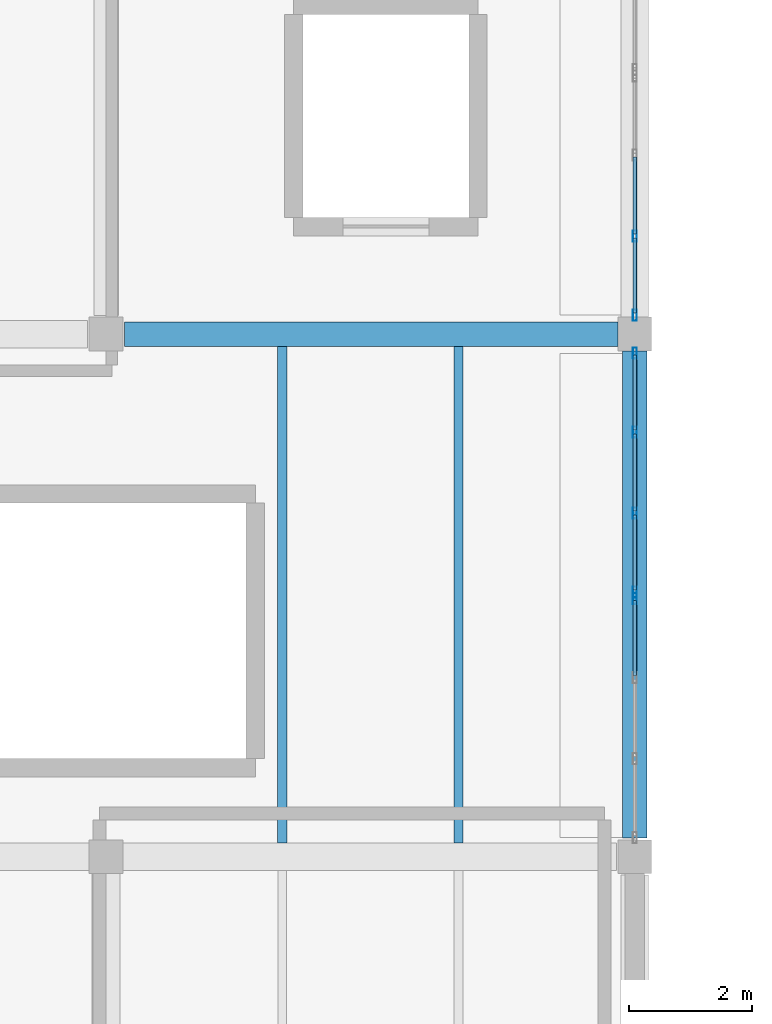
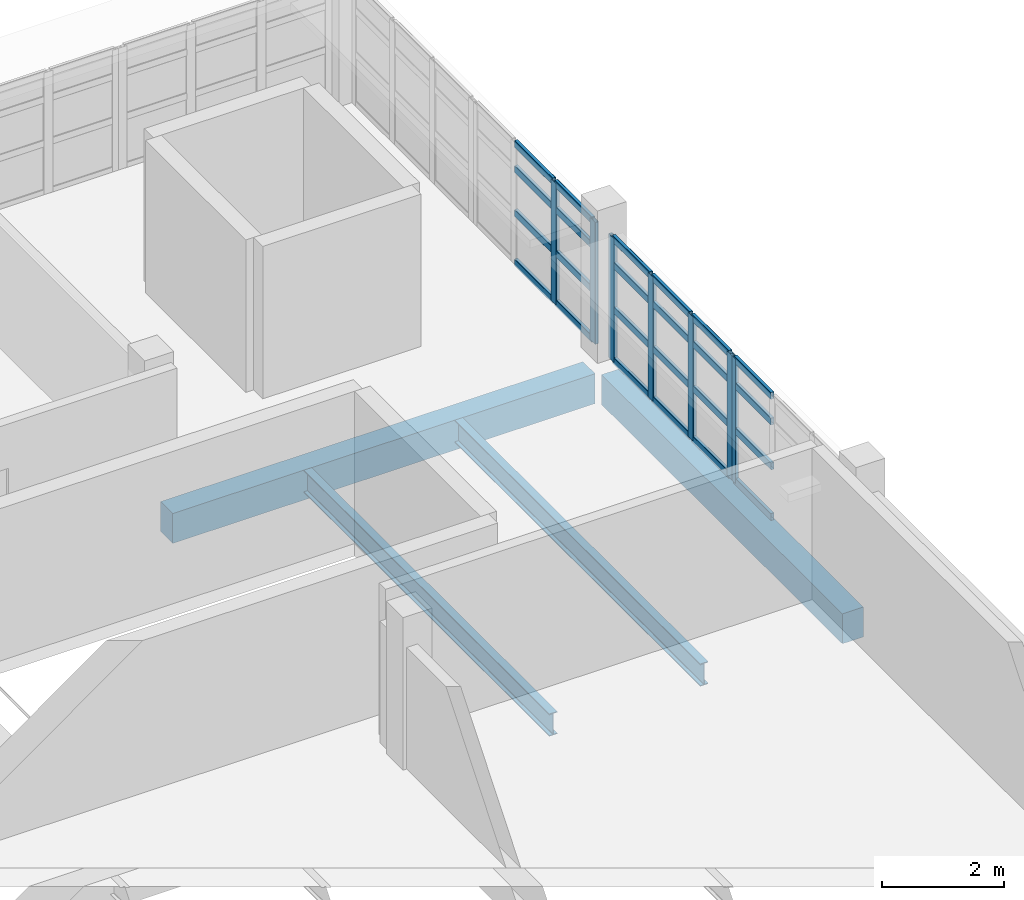
# One storey, part 15 of 34: 31 members, 4 beams, 3 elements without a shape of their own.
"""IFC4 building model written with IfcOpenShell, lengths in metres."""

from ifc_helpers import new_model, si_unit, direction, frame, origin, origin_2d, place, context, subcontext, project, spatial, rectangle, hollow_rectangle, i_section, extrude, material, material_profile, profile_set, type_object, element, aggregate, save


model = new_model("IFC4")

# Units and contexts
model_context = context("Model", 3, precision=1e-05, world=origin(), true_north=direction((0.0, 1.0)))
body_context = subcontext(model_context, "Body", "Model", "MODEL_VIEW")
ifc_project = project(units=[si_unit("LENGTHUNIT", "METRE"), si_unit("AREAUNIT", "SQUARE_METRE"), si_unit("VOLUMEUNIT", "CUBIC_METRE"), si_unit("PLANEANGLEUNIT", "RADIAN"), si_unit("MASSUNIT", "GRAM", prefix="KILO")], contexts=[model_context])

# Site, building, storey
site_placement = place(None, origin())
site = spatial("IfcSite", under=ifc_project, at=site_placement, CompositionType="ELEMENT")
building_placement = place(site_placement, origin())
building = spatial("IfcBuilding", under=site, at=building_placement, Name="Varnakota Cinema and Media Centre", CompositionType="ELEMENT")
storey_placement = place(building_placement, frame((0.0, 0.0, 19.050048828125)))
storey = spatial("IfcBuildingStorey", under=building, at=storey_placement, Name="L05", CompositionType="ELEMENT", Elevation=19.050048828125)

# Beams
ifc_material_1 = material(Name="Concrete M35", Category="concrete")
ifc_material_profile_1 = material_profile(ifc_material_1, rectangle(XDim=0.39990234375, YDim=0.60009765625, at=origin_2d()), Name="RCB 400x600")
ifc_profile_set_1 = profile_set([ifc_material_profile_1], Name="Concrete M35")
beam_type_1 = type_object("IfcBeamType", Name="BM-RC-400x600", PredefinedType="BEAM", material=ifc_profile_set_1)
beam_1_placement = place(storey_placement, frame((17.5, 52.5, -0.550048828125), z_axis=(1.0, 0.0, 0.0), x_axis=(0.0, 1.0, 0.0)))
element("IfcBeam", 1, at=beam_1_placement, inside=storey, type_object=beam_type_1, Name="L05 girder C-D/7", PredefinedType="BEAM", context=body_context, shape_type="SweptSolid", body=[
    extrude(rectangle(XDim=0.39990234375, YDim=0.60009765625, at=origin_2d()), origin(), (0.0, 0.0, 1.0), 8.02490234375),
])
beam_2_placement = place(storey_placement, frame((25.800048828125, 44.300048828125, -0.550048828125), z_axis=(0.0, 1.0, 0.0), x_axis=(-1.0, 0.0, 0.0)))
element("IfcBeam", 2, at=beam_2_placement, inside=storey, type_object=beam_type_1, Name="L05 girder D/6-7", PredefinedType="BEAM", context=body_context, shape_type="SweptSolid", body=[
    extrude(rectangle(XDim=0.39990234375, YDim=0.60009765625, at=origin_2d()), origin(), (0.0, 0.0, 1.0), 7.925048828125),
])
ifc_material_2 = material(Name="Structural steel Grade 350 (E350)", Category="steel")
ifc_material_profile_2 = material_profile(ifc_material_2, i_section(OverallWidth=0.14990234375, OverallDepth=0.449951171875, WebThickness=0.009521484375, FlangeThickness=0.017333984375, FilletRadius=0.014892578125, at=origin_2d()), Name="ISMB 450")
ifc_profile_set_2 = profile_set([ifc_material_profile_2], Name="Structural steel Grade 350 (E350)")
beam_type_2 = type_object("IfcBeamType", Name="BM-ST-ISMB450", PredefinedType="BEAM", material=ifc_profile_set_2)
for number, where, z_axis, x_axis, name in (
    (3, (20.066650390625, 44.22509765625, -0.47509765625), (0.0, 1.0, 0.0), (-1.0, 0.0, 0.0), "L05 steel joist C-D/6-7 #1"),
    (4, (22.933349609375, 44.22509765625, -0.47509765625), (0.0, 1.0, 0.0), (-1.0, 0.0, 0.0), "L05 steel joist C-D/6-7 #2"),
):
    element("IfcBeam", number, at=place(storey_placement, frame(where, z_axis=z_axis, x_axis=x_axis)), inside=storey, type_object=beam_type_2, Name=name, PredefinedType="BEAM", context=body_context, shape_type="SweptSolid", body=[
        extrude(i_section(OverallWidth=0.14990234375, OverallDepth=0.449951171875, WebThickness=0.009521484375, FlangeThickness=0.017333984375, FilletRadius=0.014892578125, at=origin_2d()), origin(), (0.0, 0.0, 1.0), 8.074951171875),
    ])

# Curtain wall, member
ifc_material_3 = material(Name="Thermally broken anodised aluminium AW-6063", Category="aluminium")
curtain_wall_type_1 = type_object("IfcCurtainWallType", Name="CW-STD-396x250", PredefinedType="USERDEFINED", material=ifc_material_3)
curtain_wall_1_placement = place(storey_placement, origin())
curtain_wall_1 = element("IfcCurtainWall", 5, at=curtain_wall_1_placement, inside=storey, type_object=curtain_wall_type_1, Name="L05 curtain wall CW-L05-V5-E-02-1", ObjectType="UNITISED CURTAIN WALL", PredefinedType="USERDEFINED")
ifc_material_4 = material(Name="Thermally broken anodised aluminium AW-6063", Category="aluminium")
ifc_material_profile_3 = material_profile(ifc_material_4, hollow_rectangle(XDim=0.06494140625, YDim=0.179931640625, WallThickness=0.00390625, InnerFilletRadius=0.00390625, OuterFilletRadius=0.008056640625, at=origin_2d()), Name="AL-MULLION 180x65x4")
ifc_profile_set_3 = profile_set([ifc_material_profile_3], Name="Thermally broken anodised aluminium AW-6063")
member_type_1 = type_object("IfcMemberType", Name="CWM-AL-180", PredefinedType="MULLION", material=ifc_profile_set_3)
member_1_placement = place(storey_placement, frame((25.800048828125, 48.197509765625, 0.0), z_axis=(0.0, 0.0, 1.0), x_axis=(-1.0, 0.0, 0.0)))
member_1 = element("IfcMember", 6, at=member_1_placement, type_object=member_type_1, Name="CW52 mullion 4", PredefinedType="MULLION", context=body_context, shape_type="SweptSolid", body=[
    extrude(hollow_rectangle(XDim=0.06494140625, YDim=0.179931640625, WallThickness=0.00390625, InnerFilletRadius=0.00390625, OuterFilletRadius=0.008056640625, at=origin_2d()), origin(), (0.0, 0.0, 1.0), 2.494873046875),
])

# Curtain wall, members
curtain_wall_2_placement = place(storey_placement, origin())
curtain_wall_2 = element("IfcCurtainWall", 7, at=curtain_wall_2_placement, inside=storey, type_object=curtain_wall_type_1, Name="L05 curtain wall CW-L05-V5-E-02-2", ObjectType="UNITISED CURTAIN WALL", PredefinedType="USERDEFINED")
member_2_placement = place(storey_placement, frame((25.800048828125, 48.302490234375, 0.0), z_axis=(0.0, 0.0, 1.0), x_axis=(-1.0, 0.0, 0.0)))
member_2 = element("IfcMember", 8, at=member_2_placement, type_object=member_type_1, Name="CW52 mullion 1", PredefinedType="MULLION", context=body_context, shape_type="SweptSolid", body=[
    extrude(hollow_rectangle(XDim=0.06494140625, YDim=0.179931640625, WallThickness=0.00390625, InnerFilletRadius=0.00390625, OuterFilletRadius=0.008056640625, at=origin_2d()), origin(), (0.0, 0.0, 1.0), 2.494873046875),
])
member_3_placement = place(storey_placement, frame((25.800048828125, 49.58837890625, 0.0), z_axis=(0.0, 0.0, 1.0), x_axis=(-1.0, 0.0, 0.0)))
member_3 = element("IfcMember", 9, at=member_3_placement, type_object=member_type_1, Name="CW52 mullion 2", PredefinedType="MULLION", context=body_context, shape_type="SweptSolid", body=[
    extrude(hollow_rectangle(XDim=0.06494140625, YDim=0.179931640625, WallThickness=0.00390625, InnerFilletRadius=0.00390625, OuterFilletRadius=0.008056640625, at=origin_2d()), origin(), (0.0, 0.0, 1.0), 2.494873046875),
])
member_4_placement = place(storey_placement, frame((25.800048828125, 50.90673828125, 0.0), z_axis=(0.0, 0.0, 1.0), x_axis=(-1.0, 0.0, 0.0)))
member_4 = element("IfcMember", 10, at=member_4_placement, type_object=member_type_1, Name="CW52 mullion 3", PredefinedType="MULLION", context=body_context, shape_type="SweptSolid", body=[
    extrude(hollow_rectangle(XDim=0.06494140625, YDim=0.179931640625, WallThickness=0.00390625, InnerFilletRadius=0.00390625, OuterFilletRadius=0.008056640625, at=origin_2d()), origin(), (0.0, 0.0, 1.0), 2.494873046875),
])
member_5_placement = place(storey_placement, frame((25.800048828125, 52.1923828125, 0.0), z_axis=(0.0, 0.0, 1.0), x_axis=(-1.0, 0.0, 0.0)))
member_5 = element("IfcMember", 11, at=member_5_placement, type_object=member_type_1, Name="CW52 mullion 4", PredefinedType="MULLION", context=body_context, shape_type="SweptSolid", body=[
    extrude(hollow_rectangle(XDim=0.06494140625, YDim=0.179931640625, WallThickness=0.00390625, InnerFilletRadius=0.00390625, OuterFilletRadius=0.008056640625, at=origin_2d()), origin(), (0.0, 0.0, 1.0), 2.494873046875),
])

ifc_material_5 = material(Name="Thermally broken anodised aluminium AW-6063", Category="aluminium")
curtain_wall_type_2 = type_object("IfcCurtainWallType", Name="CW-STD-396x244", PredefinedType="USERDEFINED", material=ifc_material_5)
curtain_wall_3_placement = place(storey_placement, origin())
curtain_wall_3 = element("IfcCurtainWall", 12, at=curtain_wall_3_placement, inside=storey, type_object=curtain_wall_type_2, Name="L05 curtain wall CW-L05-V5-E-03-1", ObjectType="UNITISED CURTAIN WALL", PredefinedType="USERDEFINED")
member_6_placement = place(storey_placement, frame((25.800048828125, 52.8076171875, 0.0), z_axis=(0.0, 0.0, 1.0), x_axis=(-1.0, 0.0, 0.0)))
member_6 = element("IfcMember", 13, at=member_6_placement, type_object=member_type_1, Name="CW53 mullion 1", PredefinedType="MULLION", context=body_context, shape_type="SweptSolid", body=[
    extrude(hollow_rectangle(XDim=0.06494140625, YDim=0.179931640625, WallThickness=0.00390625, InnerFilletRadius=0.00390625, OuterFilletRadius=0.008056640625, at=origin_2d()), origin(), (0.0, 0.0, 1.0), 2.445068359375),
])
member_7_placement = place(storey_placement, frame((25.800048828125, 54.09326171875, 0.0), z_axis=(0.0, 0.0, 1.0), x_axis=(-1.0, 0.0, 0.0)))
member_7 = element("IfcMember", 14, at=member_7_placement, type_object=member_type_1, Name="CW53 mullion 2", PredefinedType="MULLION", context=body_context, shape_type="SweptSolid", body=[
    extrude(hollow_rectangle(XDim=0.06494140625, YDim=0.179931640625, WallThickness=0.00390625, InnerFilletRadius=0.00390625, OuterFilletRadius=0.008056640625, at=origin_2d()), origin(), (0.0, 0.0, 1.0), 2.445068359375),
])

# Member
ifc_material_6 = material(Name="Thermally broken anodised aluminium AW-6063", Category="aluminium")
ifc_material_profile_4 = material_profile(ifc_material_6, hollow_rectangle(XDim=0.06494140625, YDim=0.139892578125, WallThickness=0.00390625, InnerFilletRadius=0.00390625, OuterFilletRadius=0.008056640625, at=origin_2d()), Name="AL-TRANSOM 140x65x4")
ifc_profile_set_4 = profile_set([ifc_material_profile_4], Name="Thermally broken anodised aluminium AW-6063")
member_type_2 = type_object("IfcMemberType", Name="CWT-AL-140", PredefinedType="USERDEFINED", material=ifc_profile_set_4)
member_8_placement = place(storey_placement, frame((25.800048828125, 46.944091796875, 0.032470703125), z_axis=(0.0, 1.0, 0.0), x_axis=(-1.0, 0.0, 0.0)))
member_8 = element("IfcMember", 15, at=member_8_placement, type_object=member_type_2, Name="CW52 transom 3.1", ObjectType="TRANSOM", PredefinedType="USERDEFINED", context=body_context, shape_type="SweptSolid", body=[
    extrude(hollow_rectangle(XDim=0.06494140625, YDim=0.139892578125, WallThickness=0.00390625, InnerFilletRadius=0.00390625, OuterFilletRadius=0.008056640625, at=origin_2d()), origin(), (0.0, 0.0, 1.0), 1.220947265625),
])

member_9_placement = place(storey_placement, frame((25.800048828125, 46.944091796875, 1.0478515625), z_axis=(0.0, 1.0, 0.0), x_axis=(-1.0, 0.0, 0.0)))
member_9 = element("IfcMember", 16, at=member_9_placement, type_object=member_type_2, Name="CW52 transom 3.2", ObjectType="TRANSOM", PredefinedType="USERDEFINED", context=body_context, shape_type="SweptSolid", body=[
    extrude(hollow_rectangle(XDim=0.06494140625, YDim=0.139892578125, WallThickness=0.00390625, InnerFilletRadius=0.00390625, OuterFilletRadius=0.008056640625, at=origin_2d()), origin(), (0.0, 0.0, 1.0), 1.220947265625),
])

member_10_placement = place(storey_placement, frame((25.800048828125, 46.944091796875, 1.946044921875), z_axis=(0.0, 1.0, 0.0), x_axis=(-1.0, 0.0, 0.0)))
member_10 = element("IfcMember", 17, at=member_10_placement, type_object=member_type_2, Name="CW52 transom 3.3", ObjectType="TRANSOM", PredefinedType="USERDEFINED", context=body_context, shape_type="SweptSolid", body=[
    extrude(hollow_rectangle(XDim=0.06494140625, YDim=0.139892578125, WallThickness=0.00390625, InnerFilletRadius=0.00390625, OuterFilletRadius=0.008056640625, at=origin_2d()), origin(), (0.0, 0.0, 1.0), 1.220947265625),
])

member_11_placement = place(storey_placement, frame((25.800048828125, 46.944091796875, 2.46240234375), z_axis=(0.0, 1.0, 0.0), x_axis=(-1.0, 0.0, 0.0)))
member_11 = element("IfcMember", 18, at=member_11_placement, type_object=member_type_2, Name="CW52 transom 3.4", ObjectType="TRANSOM", PredefinedType="USERDEFINED", context=body_context, shape_type="SweptSolid", body=[
    extrude(hollow_rectangle(XDim=0.06494140625, YDim=0.139892578125, WallThickness=0.00390625, InnerFilletRadius=0.00390625, OuterFilletRadius=0.008056640625, at=origin_2d()), origin(), (0.0, 0.0, 1.0), 1.220947265625),
])

aggregate(curtain_wall_1, [member_1, member_8, member_9, member_10, member_11])

member_12_placement = place(storey_placement, frame((25.800048828125, 48.3349609375, 0.032470703125), z_axis=(0.0, 1.0, 0.0), x_axis=(-1.0, 0.0, 0.0)))
member_12 = element("IfcMember", 19, at=member_12_placement, type_object=member_type_2, Name="CW52 transom 1.1", ObjectType="TRANSOM", PredefinedType="USERDEFINED", context=body_context, shape_type="SweptSolid", body=[
    extrude(hollow_rectangle(XDim=0.06494140625, YDim=0.139892578125, WallThickness=0.00390625, InnerFilletRadius=0.00390625, OuterFilletRadius=0.008056640625, at=origin_2d()), origin(), (0.0, 0.0, 1.0), 1.220947265625),
])

member_13_placement = place(storey_placement, frame((25.800048828125, 48.3349609375, 1.0478515625), z_axis=(0.0, 1.0, 0.0), x_axis=(-1.0, 0.0, 0.0)))
member_13 = element("IfcMember", 20, at=member_13_placement, type_object=member_type_2, Name="CW52 transom 1.2", ObjectType="TRANSOM", PredefinedType="USERDEFINED", context=body_context, shape_type="SweptSolid", body=[
    extrude(hollow_rectangle(XDim=0.06494140625, YDim=0.139892578125, WallThickness=0.00390625, InnerFilletRadius=0.00390625, OuterFilletRadius=0.008056640625, at=origin_2d()), origin(), (0.0, 0.0, 1.0), 1.220947265625),
])

member_14_placement = place(storey_placement, frame((25.800048828125, 48.3349609375, 1.946044921875), z_axis=(0.0, 1.0, 0.0), x_axis=(-1.0, 0.0, 0.0)))
member_14 = element("IfcMember", 21, at=member_14_placement, type_object=member_type_2, Name="CW52 transom 1.3", ObjectType="TRANSOM", PredefinedType="USERDEFINED", context=body_context, shape_type="SweptSolid", body=[
    extrude(hollow_rectangle(XDim=0.06494140625, YDim=0.139892578125, WallThickness=0.00390625, InnerFilletRadius=0.00390625, OuterFilletRadius=0.008056640625, at=origin_2d()), origin(), (0.0, 0.0, 1.0), 1.220947265625),
])

member_15_placement = place(storey_placement, frame((25.800048828125, 48.3349609375, 2.46240234375), z_axis=(0.0, 1.0, 0.0), x_axis=(-1.0, 0.0, 0.0)))
member_15 = element("IfcMember", 22, at=member_15_placement, type_object=member_type_2, Name="CW52 transom 1.4", ObjectType="TRANSOM", PredefinedType="USERDEFINED", context=body_context, shape_type="SweptSolid", body=[
    extrude(hollow_rectangle(XDim=0.06494140625, YDim=0.139892578125, WallThickness=0.00390625, InnerFilletRadius=0.00390625, OuterFilletRadius=0.008056640625, at=origin_2d()), origin(), (0.0, 0.0, 1.0), 1.220947265625),
])

member_16_placement = place(storey_placement, frame((25.800048828125, 49.620849609375, 0.032470703125), z_axis=(0.0, 1.0, 0.0), x_axis=(-1.0, 0.0, 0.0)))
member_16 = element("IfcMember", 23, at=member_16_placement, type_object=member_type_2, Name="CW52 transom 2.1", ObjectType="TRANSOM", PredefinedType="USERDEFINED", context=body_context, shape_type="SweptSolid", body=[
    extrude(hollow_rectangle(XDim=0.06494140625, YDim=0.139892578125, WallThickness=0.00390625, InnerFilletRadius=0.00390625, OuterFilletRadius=0.008056640625, at=origin_2d()), origin(), (0.0, 0.0, 1.0), 1.25341796875),
])

member_17_placement = place(storey_placement, frame((25.800048828125, 49.620849609375, 1.0478515625), z_axis=(0.0, 1.0, 0.0), x_axis=(-1.0, 0.0, 0.0)))
member_17 = element("IfcMember", 24, at=member_17_placement, type_object=member_type_2, Name="CW52 transom 2.2", ObjectType="TRANSOM", PredefinedType="USERDEFINED", context=body_context, shape_type="SweptSolid", body=[
    extrude(hollow_rectangle(XDim=0.06494140625, YDim=0.139892578125, WallThickness=0.00390625, InnerFilletRadius=0.00390625, OuterFilletRadius=0.008056640625, at=origin_2d()), origin(), (0.0, 0.0, 1.0), 1.25341796875),
])

member_18_placement = place(storey_placement, frame((25.800048828125, 49.620849609375, 1.946044921875), z_axis=(0.0, 1.0, 0.0), x_axis=(-1.0, 0.0, 0.0)))
member_18 = element("IfcMember", 25, at=member_18_placement, type_object=member_type_2, Name="CW52 transom 2.3", ObjectType="TRANSOM", PredefinedType="USERDEFINED", context=body_context, shape_type="SweptSolid", body=[
    extrude(hollow_rectangle(XDim=0.06494140625, YDim=0.139892578125, WallThickness=0.00390625, InnerFilletRadius=0.00390625, OuterFilletRadius=0.008056640625, at=origin_2d()), origin(), (0.0, 0.0, 1.0), 1.25341796875),
])

member_19_placement = place(storey_placement, frame((25.800048828125, 49.620849609375, 2.46240234375), z_axis=(0.0, 1.0, 0.0), x_axis=(-1.0, 0.0, 0.0)))
member_19 = element("IfcMember", 26, at=member_19_placement, type_object=member_type_2, Name="CW52 transom 2.4", ObjectType="TRANSOM", PredefinedType="USERDEFINED", context=body_context, shape_type="SweptSolid", body=[
    extrude(hollow_rectangle(XDim=0.06494140625, YDim=0.139892578125, WallThickness=0.00390625, InnerFilletRadius=0.00390625, OuterFilletRadius=0.008056640625, at=origin_2d()), origin(), (0.0, 0.0, 1.0), 1.25341796875),
])

member_20_placement = place(storey_placement, frame((25.800048828125, 50.939208984375, 0.032470703125), z_axis=(0.0, 1.0, 0.0), x_axis=(-1.0, 0.0, 0.0)))
member_20 = element("IfcMember", 27, at=member_20_placement, type_object=member_type_2, Name="CW52 transom 3.1", ObjectType="TRANSOM", PredefinedType="USERDEFINED", context=body_context, shape_type="SweptSolid", body=[
    extrude(hollow_rectangle(XDim=0.06494140625, YDim=0.139892578125, WallThickness=0.00390625, InnerFilletRadius=0.00390625, OuterFilletRadius=0.008056640625, at=origin_2d()), origin(), (0.0, 0.0, 1.0), 1.220703125),
])

member_21_placement = place(storey_placement, frame((25.800048828125, 50.939208984375, 1.0478515625), z_axis=(0.0, 1.0, 0.0), x_axis=(-1.0, 0.0, 0.0)))
member_21 = element("IfcMember", 28, at=member_21_placement, type_object=member_type_2, Name="CW52 transom 3.2", ObjectType="TRANSOM", PredefinedType="USERDEFINED", context=body_context, shape_type="SweptSolid", body=[
    extrude(hollow_rectangle(XDim=0.06494140625, YDim=0.139892578125, WallThickness=0.00390625, InnerFilletRadius=0.00390625, OuterFilletRadius=0.008056640625, at=origin_2d()), origin(), (0.0, 0.0, 1.0), 1.220703125),
])

member_22_placement = place(storey_placement, frame((25.800048828125, 50.939208984375, 1.946044921875), z_axis=(0.0, 1.0, 0.0), x_axis=(-1.0, 0.0, 0.0)))
member_22 = element("IfcMember", 29, at=member_22_placement, type_object=member_type_2, Name="CW52 transom 3.3", ObjectType="TRANSOM", PredefinedType="USERDEFINED", context=body_context, shape_type="SweptSolid", body=[
    extrude(hollow_rectangle(XDim=0.06494140625, YDim=0.139892578125, WallThickness=0.00390625, InnerFilletRadius=0.00390625, OuterFilletRadius=0.008056640625, at=origin_2d()), origin(), (0.0, 0.0, 1.0), 1.220703125),
])

member_23_placement = place(storey_placement, frame((25.800048828125, 50.939208984375, 2.46240234375), z_axis=(0.0, 1.0, 0.0), x_axis=(-1.0, 0.0, 0.0)))
member_23 = element("IfcMember", 30, at=member_23_placement, type_object=member_type_2, Name="CW52 transom 3.4", ObjectType="TRANSOM", PredefinedType="USERDEFINED", context=body_context, shape_type="SweptSolid", body=[
    extrude(hollow_rectangle(XDim=0.06494140625, YDim=0.139892578125, WallThickness=0.00390625, InnerFilletRadius=0.00390625, OuterFilletRadius=0.008056640625, at=origin_2d()), origin(), (0.0, 0.0, 1.0), 1.220703125),
])

aggregate(curtain_wall_2, [member_2, member_3, member_4, member_5, member_12, member_13, member_14, member_15, member_16, member_17, member_18, member_19, member_20, member_21, member_22, member_23])

member_24_placement = place(storey_placement, frame((25.800048828125, 52.840087890625, 0.032470703125), z_axis=(0.0, 1.0, 0.0), x_axis=(-1.0, 0.0, 0.0)))
member_24 = element("IfcMember", 31, at=member_24_placement, type_object=member_type_2, Name="CW53 transom 1.1", ObjectType="TRANSOM", PredefinedType="USERDEFINED", context=body_context, shape_type="SweptSolid", body=[
    extrude(hollow_rectangle(XDim=0.06494140625, YDim=0.139892578125, WallThickness=0.00390625, InnerFilletRadius=0.00390625, OuterFilletRadius=0.008056640625, at=origin_2d()), origin(), (0.0, 0.0, 1.0), 1.220703125),
])

member_25_placement = place(storey_placement, frame((25.800048828125, 52.840087890625, 1.02685546875), z_axis=(0.0, 1.0, 0.0), x_axis=(-1.0, 0.0, 0.0)))
member_25 = element("IfcMember", 32, at=member_25_placement, type_object=member_type_2, Name="CW53 transom 1.2", ObjectType="TRANSOM", PredefinedType="USERDEFINED", context=body_context, shape_type="SweptSolid", body=[
    extrude(hollow_rectangle(XDim=0.06494140625, YDim=0.139892578125, WallThickness=0.00390625, InnerFilletRadius=0.00390625, OuterFilletRadius=0.008056640625, at=origin_2d()), origin(), (0.0, 0.0, 1.0), 1.220703125),
])

member_26_placement = place(storey_placement, frame((25.800048828125, 52.840087890625, 1.906982421875), z_axis=(0.0, 1.0, 0.0), x_axis=(-1.0, 0.0, 0.0)))
member_26 = element("IfcMember", 33, at=member_26_placement, type_object=member_type_2, Name="CW53 transom 1.3", ObjectType="TRANSOM", PredefinedType="USERDEFINED", context=body_context, shape_type="SweptSolid", body=[
    extrude(hollow_rectangle(XDim=0.06494140625, YDim=0.139892578125, WallThickness=0.00390625, InnerFilletRadius=0.00390625, OuterFilletRadius=0.008056640625, at=origin_2d()), origin(), (0.0, 0.0, 1.0), 1.220703125),
])

member_27_placement = place(storey_placement, frame((25.800048828125, 52.840087890625, 2.412353515625), z_axis=(0.0, 1.0, 0.0), x_axis=(-1.0, 0.0, 0.0)))
member_27 = element("IfcMember", 34, at=member_27_placement, type_object=member_type_2, Name="CW53 transom 1.4", ObjectType="TRANSOM", PredefinedType="USERDEFINED", context=body_context, shape_type="SweptSolid", body=[
    extrude(hollow_rectangle(XDim=0.06494140625, YDim=0.139892578125, WallThickness=0.00390625, InnerFilletRadius=0.00390625, OuterFilletRadius=0.008056640625, at=origin_2d()), origin(), (0.0, 0.0, 1.0), 1.220703125),
])

member_28_placement = place(storey_placement, frame((25.800048828125, 54.125732421875, 0.032470703125), z_axis=(0.0, 1.0, 0.0), x_axis=(-1.0, 0.0, 0.0)))
member_28 = element("IfcMember", 35, at=member_28_placement, type_object=member_type_2, Name="CW53 transom 2.1", ObjectType="TRANSOM", PredefinedType="USERDEFINED", context=body_context, shape_type="SweptSolid", body=[
    extrude(hollow_rectangle(XDim=0.06494140625, YDim=0.139892578125, WallThickness=0.00390625, InnerFilletRadius=0.00390625, OuterFilletRadius=0.008056640625, at=origin_2d()), origin(), (0.0, 0.0, 1.0), 1.25341796875),
])

member_29_placement = place(storey_placement, frame((25.800048828125, 54.125732421875, 1.02685546875), z_axis=(0.0, 1.0, 0.0), x_axis=(-1.0, 0.0, 0.0)))
member_29 = element("IfcMember", 36, at=member_29_placement, type_object=member_type_2, Name="CW53 transom 2.2", ObjectType="TRANSOM", PredefinedType="USERDEFINED", context=body_context, shape_type="SweptSolid", body=[
    extrude(hollow_rectangle(XDim=0.06494140625, YDim=0.139892578125, WallThickness=0.00390625, InnerFilletRadius=0.00390625, OuterFilletRadius=0.008056640625, at=origin_2d()), origin(), (0.0, 0.0, 1.0), 1.25341796875),
])

member_30_placement = place(storey_placement, frame((25.800048828125, 54.125732421875, 1.906982421875), z_axis=(0.0, 1.0, 0.0), x_axis=(-1.0, 0.0, 0.0)))
member_30 = element("IfcMember", 37, at=member_30_placement, type_object=member_type_2, Name="CW53 transom 2.3", ObjectType="TRANSOM", PredefinedType="USERDEFINED", context=body_context, shape_type="SweptSolid", body=[
    extrude(hollow_rectangle(XDim=0.06494140625, YDim=0.139892578125, WallThickness=0.00390625, InnerFilletRadius=0.00390625, OuterFilletRadius=0.008056640625, at=origin_2d()), origin(), (0.0, 0.0, 1.0), 1.25341796875),
])

member_31_placement = place(storey_placement, frame((25.800048828125, 54.125732421875, 2.412353515625), z_axis=(0.0, 1.0, 0.0), x_axis=(-1.0, 0.0, 0.0)))
member_31 = element("IfcMember", 38, at=member_31_placement, type_object=member_type_2, Name="CW53 transom 2.4", ObjectType="TRANSOM", PredefinedType="USERDEFINED", context=body_context, shape_type="SweptSolid", body=[
    extrude(hollow_rectangle(XDim=0.06494140625, YDim=0.139892578125, WallThickness=0.00390625, InnerFilletRadius=0.00390625, OuterFilletRadius=0.008056640625, at=origin_2d()), origin(), (0.0, 0.0, 1.0), 1.25341796875),
])

aggregate(curtain_wall_3, [member_6, member_7, member_24, member_25, member_26, member_27, member_28, member_29, member_30, member_31])

save(model, "model.ifc")
